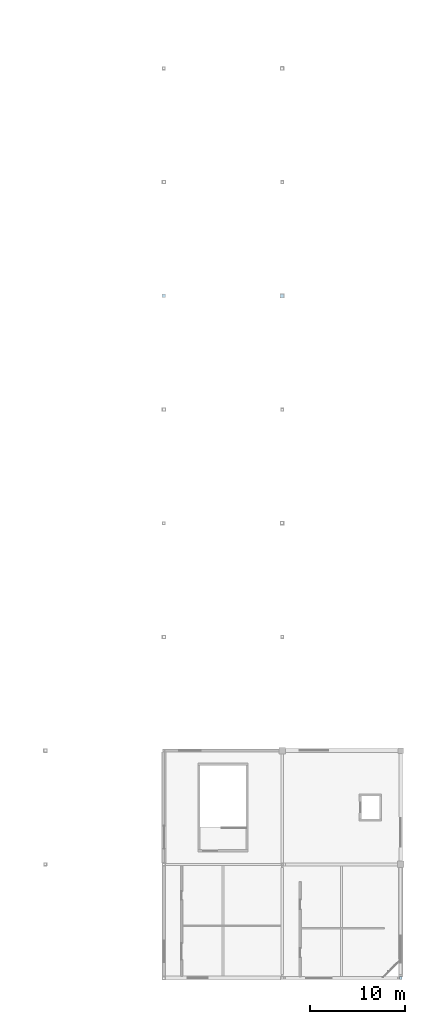
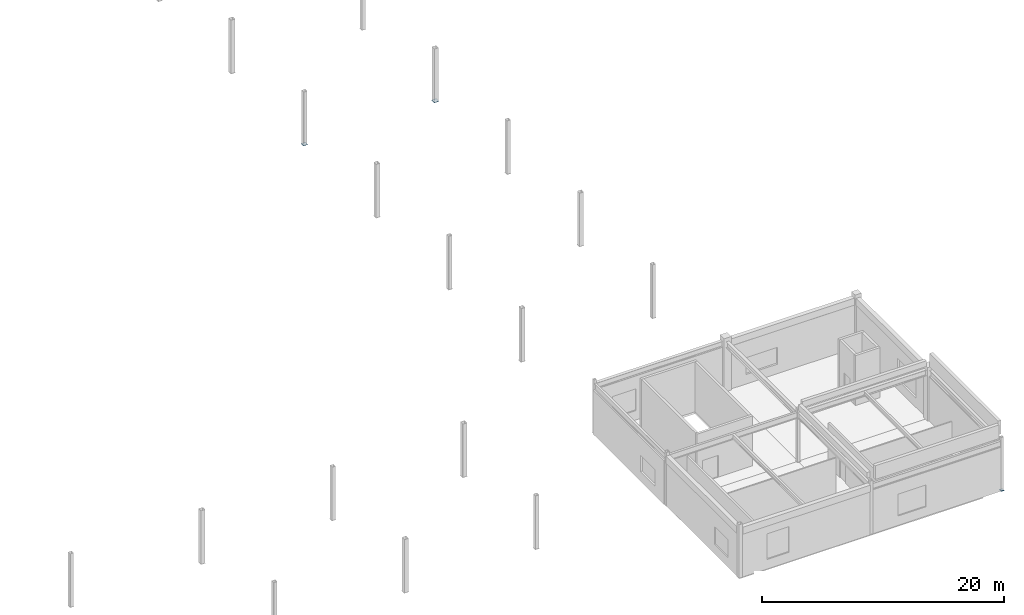
# One storey, part 57 of 76: 3 plates.
"""IFC4 building model written with IfcOpenShell, lengths in metres."""

from ifc_helpers import new_model, si_unit, direction, frame, origin, origin_2d, place, context, subcontext, project, spatial, rectangle, extrude, material, layer, layer_set, type_object, element, save


model = new_model("IFC4")

# Units and contexts
model_context = context("Model", 3, precision=1e-05, world=origin(), true_north=direction((0.0, 1.0)))
body_context = subcontext(model_context, "Body", "Model", "MODEL_VIEW")
ifc_project = project(units=[si_unit("LENGTHUNIT", "METRE"), si_unit("AREAUNIT", "SQUARE_METRE"), si_unit("VOLUMEUNIT", "CUBIC_METRE"), si_unit("PLANEANGLEUNIT", "RADIAN"), si_unit("MASSUNIT", "GRAM", prefix="KILO")], contexts=[model_context])

# Site, building, storey
site_placement = place(None, origin())
site = spatial("IfcSite", under=ifc_project, at=site_placement, CompositionType="ELEMENT")
building_placement = place(site_placement, origin())
building = spatial("IfcBuilding", under=site, at=building_placement, Name="Kazenohara Klinker Stadium", CompositionType="ELEMENT")
storey_placement = place(building_placement, frame((0.0, 0.0, 25.800048828125)))
storey = spatial("IfcBuildingStorey", under=building, at=storey_placement, Name="L05", CompositionType="ELEMENT", Elevation=25.800048828125)

# Plates
ifc_material = material(Name="Steel S355", Category="steel")
ifc_layer_1 = layer(ifc_material, 0.02001953125)
ifc_layer_set_1 = layer_set([ifc_layer_1], Name="Steel S355")
plate_type_1 = type_object("IfcPlateType", Name="PLT-GP01", PredefinedType="USERDEFINED", material=ifc_layer_set_1)
plate_1_placement = place(storey_placement, frame((175.0, 84.0, -0.010009765625), z_axis=(0.0, 0.0, 1.0), x_axis=(1.0, 0.0, 0.0)))
element("IfcPlate", 1, at=plate_1_placement, inside=storey, type_object=plate_type_1, Name="Hollow column end-cap plate GP01 L05 15/H", ObjectType="GUSSET PLATE", PredefinedType="USERDEFINED", context=body_context, shape_type="SweptSolid", body=[
    extrude(rectangle(XDim=0.389892578125, YDim=0.389892578125, at=origin_2d()), origin(), (0.0, 0.0, 1.0), 0.02001953125),
])
ifc_layer_2 = layer(ifc_material, 0.02490234375)
ifc_layer_set_2 = layer_set([ifc_layer_2], Name="Steel S355")
plate_type_2 = type_object("IfcPlateType", Name="PLT-GP04", PredefinedType="USERDEFINED", material=ifc_layer_set_2)
plate_2_placement = place(storey_placement, frame((187.5, 84.0, -0.012451171875), z_axis=(0.0, 0.0, 1.0), x_axis=(1.0, 0.0, 0.0)))
element("IfcPlate", 2, at=plate_2_placement, inside=storey, type_object=plate_type_2, Name="Hollow column end-cap plate GP04 L05 16/H", ObjectType="GUSSET PLATE", PredefinedType="USERDEFINED", context=body_context, shape_type="SweptSolid", body=[
    extrude(rectangle(XDim=0.43994140625, YDim=0.43994140625, at=origin_2d()), origin(), (0.0, 0.0, 1.0), 0.02490234375),
])
plate_3_placement = place(storey_placement, frame((200.0, 12.0, -0.012451171875), z_axis=(0.0, 0.0, 1.0), x_axis=(1.0, 0.0, 0.0)))
element("IfcPlate", 3, at=plate_3_placement, inside=storey, type_object=plate_type_2, Name="Hollow column end-cap plate GP04 L05 17/B", ObjectType="GUSSET PLATE", PredefinedType="USERDEFINED", context=body_context, shape_type="SweptSolid", body=[
    extrude(rectangle(XDim=0.2900390625, YDim=0.2900390625, at=origin_2d()), origin(), (0.0, 0.0, 1.0), 0.02490234375),
])

save(model, "model.ifc")
